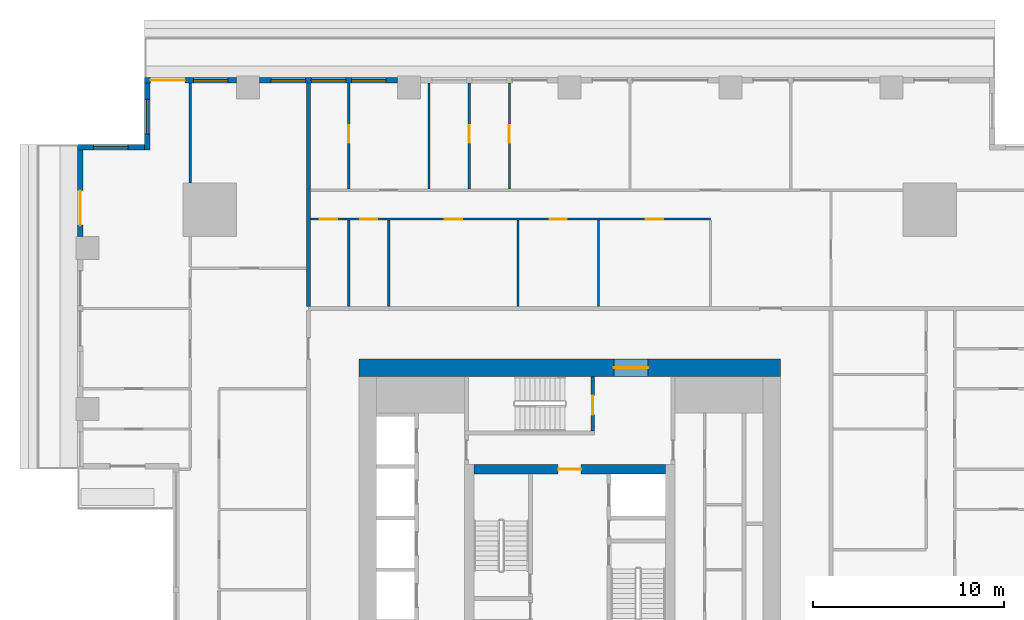
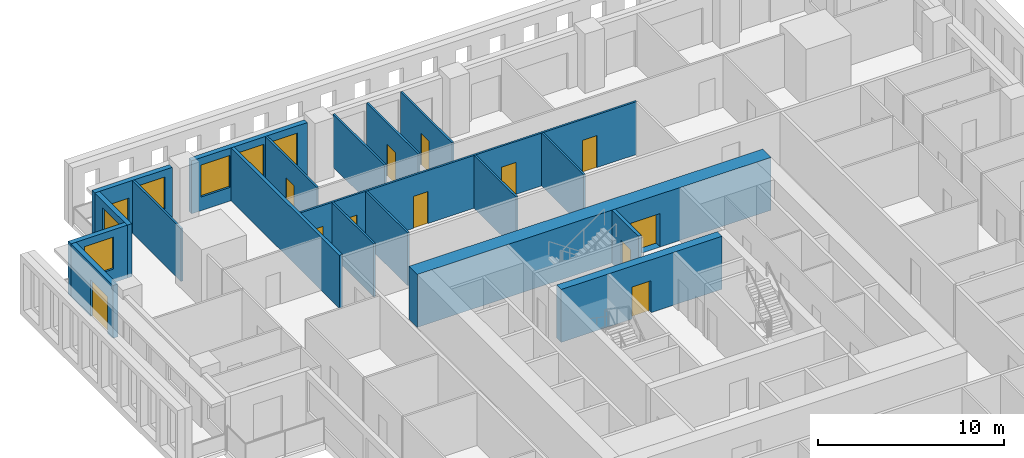
# One storey, part 7 of 14: 19 walls, 13 doors, 6 windows, 19 openings.
"""IFC4 building model written with IfcOpenShell, lengths in metres."""

from ifc_helpers import new_model, si_unit, direction, frame, frame_2d, origin, place, context, subcontext, project, spatial, rectangle, extrude, material, layer, layer_set, type_object, element, fill, save


model = new_model("IFC4")

# Units and contexts
model_context = context("Model", 3, precision=1e-05, world=origin(), true_north=direction((0.0, 1.0)))
body_context = subcontext(model_context, "Body", "Model", "MODEL_VIEW")
ifc_project = project(units=[si_unit("LENGTHUNIT", "METRE"), si_unit("AREAUNIT", "SQUARE_METRE"), si_unit("VOLUMEUNIT", "CUBIC_METRE"), si_unit("PLANEANGLEUNIT", "RADIAN"), si_unit("MASSUNIT", "GRAM", prefix="KILO")], contexts=[model_context])

# Site, building, storey
site_placement = place(None, origin())
site = spatial("IfcSite", under=ifc_project, at=site_placement, CompositionType="ELEMENT")
building_placement = place(site_placement, origin())
building = spatial("IfcBuilding", under=site, at=building_placement, Name="Khepri Terraces", CompositionType="ELEMENT")
storey_placement = place(building_placement, frame((0.0, 0.0, 87.0)))
storey = spatial("IfcBuildingStorey", under=building, at=storey_placement, Name="L20", CompositionType="ELEMENT", Elevation=87.0)

# Wall, opening, door
ifc_material_1 = material(Name="Concrete C70/85", Category="concrete")
ifc_layer_1 = layer(ifc_material_1, 0.199951171875, Name="Concrete C70/85", Category="concrete")
ifc_layer_set_1 = layer_set([ifc_layer_1], Name="Concrete C70/85")
wall_type_1 = type_object("IfcWallType", Name="Core wall 200 C70/85", PredefinedType="SHEAR", material=ifc_layer_set_1)
wall_1_placement = place(storey_placement, frame((1.199951171875, 7.25, 0.0), z_axis=(0.0, 0.0, 1.0), x_axis=(0.0, 1.0, 0.0)))
wall_1 = element("IfcWall", 1, at=wall_1_placement, inside=storey, type_object=wall_type_1, Name="Core wall ST07 L20", PredefinedType="SHEAR", context=body_context, shape_type="SweptSolid", body=[
    extrude(rectangle(XDim=2.85009765625, YDim=0.199951171875, at=frame_2d((1.425048828125, 0.0))), origin(), (0.0, 0.0, 1.0), 3.47998046875),
])
opening_1_placement = place(wall_1_placement, frame((0.85009765625, 0.0, 0.0)))
opening_1 = element("IfcOpeningElement", 2, at=opening_1_placement, cuts=wall_1, Name="Opening L20-C15", PredefinedType="OPENING", context=body_context, shape_type="SweptSolid", body=[
    extrude(rectangle(XDim=1.0, YDim=2.10009765625, at=frame_2d((0.5, 1.050048828125))), frame((0.0, 0.10986328125, 0.0), z_axis=(0.0, -1.0, 0.0), x_axis=(1.0, 0.0, 0.0)), (0.0, 0.0, 1.0), 0.219970703125),
])
ifc_material_2 = material(Name="Painted steel", Category="steel")
door_type_1 = type_object("IfcDoorType", Name="DR-CORE-STAIR-1000", OperationType="NOTDEFINED", PredefinedType="DOOR", material=ifc_material_2)
door_1_placement = place(opening_1_placement, origin())
door_1 = element("IfcDoor", 3, at=door_1_placement, inside=storey, type_object=door_type_1, Name="Stair door L20-C15", OperationType="SINGLE_SWING_LEFT", OverallHeight=2.10009765625, OverallWidth=1.0, PredefinedType="DOOR", context=body_context, shape_type="SweptSolid", body=[
    extrude(rectangle(XDim=1.0, YDim=2.10009765625, at=frame_2d((0.5, 1.050048828125))), frame((0.0, 0.02490234375, 0.0), z_axis=(0.0, -1.0, 0.0), x_axis=(1.0, 0.0, 0.0)), (0.0, 0.0, 1.0), 0.050048828125),
])
fill(opening_1, door_1)

ifc_layer_2 = layer(ifc_material_1, 0.5, Name="Concrete C70/85", Category="concrete")
ifc_layer_set_2 = layer_set([ifc_layer_2], Name="Concrete C70/85")
wall_type_2 = type_object("IfcWallType", Name="Core wall 500 C70/85", PredefinedType="SHEAR", material=ifc_layer_set_2)
wall_2_placement = place(storey_placement, frame((-5.0, 5.25, 0.0), z_axis=(0.0, 0.0, 1.0), x_axis=(1.0, 0.0, 0.0)))
wall_2 = element("IfcWall", 4, at=wall_2_placement, inside=storey, type_object=wall_type_2, Name="Core wall BX04 L20", PredefinedType="SHEAR", context=body_context, shape_type="SweptSolid", body=[
    extrude(rectangle(XDim=10.0, YDim=0.5, at=frame_2d((5.0, 0.0))), origin(), (0.0, 0.0, 1.0), 3.47998046875),
])
opening_2_placement = place(wall_2_placement, frame((4.39990234375, 0.0, 0.0)))
opening_2 = element("IfcOpeningElement", 5, at=opening_2_placement, cuts=wall_2, Name="Opening L20-C13", PredefinedType="OPENING", context=body_context, shape_type="SweptSolid", body=[
    extrude(rectangle(XDim=1.199951171875, YDim=2.10009765625, at=frame_2d((0.60009765625, 1.050048828125))), frame((0.0, 0.260009765625, 0.0), z_axis=(0.0, -1.0, 0.0), x_axis=(1.0, 0.0, 0.0)), (0.0, 0.0, 1.0), 0.52001953125),
])
door_type_2 = type_object("IfcDoorType", Name="DR-CORE-FF-LOBBY-1200", OperationType="NOTDEFINED", PredefinedType="DOOR", material=ifc_material_2)
door_2_placement = place(opening_2_placement, frame((1.199951171875, 0.0, 0.0), z_axis=(0.0, 0.0, 1.0), x_axis=(-1.0, 0.0, 0.0)))
door_2 = element("IfcDoor", 6, at=door_2_placement, inside=storey, type_object=door_type_2, Name="Firefighting lobby door L20-C13", OperationType="SINGLE_SWING_LEFT", OverallHeight=2.10009765625, OverallWidth=1.199951171875, PredefinedType="DOOR", context=body_context, shape_type="SweptSolid", body=[
    extrude(rectangle(XDim=1.199951171875, YDim=2.10009765625, at=frame_2d((0.60009765625, 1.050048828125))), frame((0.0, 0.02490234375, 0.0), z_axis=(0.0, -1.0, 0.0), x_axis=(1.0, 0.0, 0.0)), (0.0, 0.0, 1.0), 0.050048828125),
])
fill(opening_2, door_2)

ifc_layer_3 = layer(ifc_material_1, 0.89990234375, Name="Concrete C70/85", Category="concrete")
ifc_layer_set_3 = layer_set([ifc_layer_3], Name="Concrete C70/85")
wall_type_3 = type_object("IfcWallType", Name="Core wall 900 C70/85", PredefinedType="SHEAR", material=ifc_layer_set_3)
wall_3_placement = place(storey_placement, frame((-11.0, 10.550048828125, 0.0), z_axis=(0.0, 0.0, 1.0), x_axis=(1.0, 0.0, 0.0)))
wall_3 = element("IfcWall", 7, at=wall_3_placement, inside=storey, type_object=wall_type_3, Name="Core wall OW-N L20", PredefinedType="SHEAR", context=body_context, shape_type="SweptSolid", body=[
    extrude(rectangle(XDim=22.0, YDim=0.89990234375, at=frame_2d((11.0, 0.0))), origin(), (0.0, 0.0, 1.0), 3.47998046875),
])
opening_3_placement = place(wall_3_placement, frame((13.300048828125, 0.0, 0.0)))
opening_3 = element("IfcOpeningElement", 8, at=opening_3_placement, cuts=wall_3, Name="Opening L20-C20", PredefinedType="OPENING", context=body_context, shape_type="SweptSolid", body=[
    extrude(rectangle(XDim=1.800048828125, YDim=2.199951171875, at=frame_2d((0.89990234375, 1.10009765625))), frame((0.0, 0.4599609375, 0.0), z_axis=(0.0, -1.0, 0.0), x_axis=(1.0, 0.0, 0.0)), (0.0, 0.0, 1.0), 0.919921875),
])
door_type_3 = type_object("IfcDoorType", Name="DR-CORE-ENTRANCE-1800", OperationType="NOTDEFINED", PredefinedType="DOOR", material=ifc_material_2)
door_3_placement = place(opening_3_placement, origin())
door_3 = element("IfcDoor", 9, at=door_3_placement, inside=storey, type_object=door_type_3, Name="Core entrance door pair L20-C20", OperationType="DOUBLE_DOOR_SINGLE_SWING", OverallHeight=2.199951171875, OverallWidth=1.800048828125, PredefinedType="DOOR", context=body_context, shape_type="SweptSolid", body=[
    extrude(rectangle(XDim=1.800048828125, YDim=2.199951171875, at=frame_2d((0.89990234375, 1.10009765625))), frame((0.0, 0.02490234375, 0.0), z_axis=(0.0, -1.0, 0.0), x_axis=(1.0, 0.0, 0.0)), (0.0, 0.0, 1.0), 0.050048828125),
])
fill(opening_3, door_3)

# Wall
ifc_material_3 = material(Name="Fire-rated gypsum plasterboard partition, mineral wool")
ifc_layer_4 = layer(ifc_material_3, 0.199951171875, Name="Fire-rated gypsum plasterboard partition, mineral wool")
ifc_layer_set_4 = layer_set([ifc_layer_4], Name="Fire-rated gypsum plasterboard partition, mineral wool")
wall_type_4 = type_object("IfcWallType", Name="WL-CORR-200", PredefinedType="PARTITIONING", material=ifc_layer_set_4)
wall_4_placement = place(storey_placement, frame((-13.64990234375, 13.75, 0.0), z_axis=(0.0, 0.0, 1.0), x_axis=(0.0, 1.0, 0.0)))
element("IfcWall", 10, at=wall_4_placement, inside=storey, type_object=wall_type_4, Name="Partition P-076 L20", PredefinedType="PARTITIONING", context=body_context, shape_type="SweptSolid", body=[
    extrude(rectangle(XDim=11.669921875, YDim=0.199951171875, at=frame_2d((5.8349609375, 0.0))), origin(), (0.0, 0.0, 1.0), 3.47998046875),
])

# Wall, openings, windows
ifc_material_4 = material(Name="Precast concrete C50/60 warm stone", Category="masonry")
ifc_layer_5 = layer(ifc_material_4, 0.300048828125, Name="Precast concrete C50/60 warm stone", Category="masonry")
ifc_layer_set_5 = layer_set([ifc_layer_5], Name="Precast concrete C50/60 warm stone")
wall_type_5 = type_object("IfcWallType", Name="WL-EXT-PRECAST-300", PredefinedType="STANDARD", material=ifc_layer_set_5)
wall_5_placement = place(storey_placement, frame((-9.0, 25.570068359375, 0.0), z_axis=(0.0, 0.0, 1.0), x_axis=(-1.0, 0.0, 0.0)))
wall_5 = element("IfcWall", 11, at=wall_5_placement, inside=storey, type_object=wall_type_5, Name="External wall L20 N", PredefinedType="STANDARD", context=body_context, shape_type="SweptSolid", body=[
    extrude(rectangle(XDim=7.199951171875, YDim=0.300048828125, at=frame_2d((3.60009765625, 0.0))), origin(), (0.0, 0.0, 1.0), 3.47998046875),
])
opening_4_placement = place(wall_5_placement, frame((0.60009765625, 0.0, 0.89990234375)))
opening_4 = element("IfcOpeningElement", 12, at=opening_4_placement, cuts=wall_5, Name="Opening W1", PredefinedType="OPENING", context=body_context, shape_type="SweptSolid", body=[
    extrude(rectangle(XDim=1.800048828125, YDim=2.10009765625, at=frame_2d((0.89990234375, 1.050048828125))), frame((0.0, 0.16015625, 0.0), z_axis=(0.0, -1.0, 0.0), x_axis=(1.0, 0.0, 0.0)), (0.0, 0.0, 1.0), 0.320068359375),
])
opening_5_placement = place(wall_5_placement, frame((2.699951171875, 0.0, 0.89990234375)))
opening_5 = element("IfcOpeningElement", 13, at=opening_5_placement, cuts=wall_5, Name="Opening W1", PredefinedType="OPENING", context=body_context, shape_type="SweptSolid", body=[
    extrude(rectangle(XDim=1.800048828125, YDim=2.10009765625, at=frame_2d((0.89990234375, 1.050048828125))), frame((0.0, 0.16015625, 0.0), z_axis=(0.0, -1.0, 0.0), x_axis=(1.0, 0.0, 0.0)), (0.0, 0.0, 1.0), 0.320068359375),
])
opening_6_placement = place(wall_5_placement, frame((4.800048828125, 0.0, 0.89990234375)))
opening_6 = element("IfcOpeningElement", 14, at=opening_6_placement, cuts=wall_5, Name="Opening W1", PredefinedType="OPENING", context=body_context, shape_type="SweptSolid", body=[
    extrude(rectangle(XDim=1.800048828125, YDim=2.10009765625, at=frame_2d((0.89990234375, 1.050048828125))), frame((0.0, 0.16015625, 0.0), z_axis=(0.0, -1.0, 0.0), x_axis=(1.0, 0.0, 0.0)), (0.0, 0.0, 1.0), 0.320068359375),
])
ifc_material_5 = material(Name="Clear glass", Category="glass")
window_type = type_object("IfcWindowType", Name="WIN-RES-1800x2100", PartitioningType="SINGLE_PANEL", PredefinedType="WINDOW", material=ifc_material_5)
window_1_placement = place(opening_4_placement, origin())
window_1 = element("IfcWindow", 15, at=window_1_placement, inside=storey, type_object=window_type, Name="Window L20 N", OverallHeight=2.10009765625, OverallWidth=1.800048828125, PartitioningType="SINGLE_PANEL", PredefinedType="WINDOW", context=body_context, shape_type="SweptSolid", body=[
    extrude(rectangle(XDim=1.800048828125, YDim=2.10009765625, at=frame_2d((0.89990234375, 1.050048828125))), frame((0.0, 0.030029296875, 0.0), z_axis=(0.0, -1.0, 0.0), x_axis=(1.0, 0.0, 0.0)), (0.0, 0.0, 1.0), 0.06005859375),
])
fill(opening_4, window_1)
window_2_placement = place(opening_5_placement, origin())
window_2 = element("IfcWindow", 16, at=window_2_placement, inside=storey, type_object=window_type, Name="Window L20 N", OverallHeight=2.10009765625, OverallWidth=1.800048828125, PartitioningType="SINGLE_PANEL", PredefinedType="WINDOW", context=body_context, shape_type="SweptSolid", body=[
    extrude(rectangle(XDim=1.800048828125, YDim=2.10009765625, at=frame_2d((0.89990234375, 1.050048828125))), frame((0.0, 0.030029296875, 0.0), z_axis=(0.0, -1.0, 0.0), x_axis=(1.0, 0.0, 0.0)), (0.0, 0.0, 1.0), 0.06005859375),
])
fill(opening_5, window_2)
window_3_placement = place(opening_6_placement, origin())
window_3 = element("IfcWindow", 17, at=window_3_placement, inside=storey, type_object=window_type, Name="Window L20 N", OverallHeight=2.10009765625, OverallWidth=1.800048828125, PartitioningType="SINGLE_PANEL", PredefinedType="WINDOW", context=body_context, shape_type="SweptSolid", body=[
    extrude(rectangle(XDim=1.800048828125, YDim=2.10009765625, at=frame_2d((0.89990234375, 1.050048828125))), frame((0.0, 0.030029296875, 0.0), z_axis=(0.0, -1.0, 0.0), x_axis=(1.0, 0.0, 0.0)), (0.0, 0.0, 1.0), 0.06005859375),
])
fill(opening_6, window_3)

# Wall, openings, door, window
wall_6_placement = place(storey_placement, frame((-17.39990234375, 25.570068359375, 0.0), z_axis=(0.0, 0.0, 1.0), x_axis=(-1.0, 0.0, 0.0)))
wall_6 = element("IfcWall", 18, at=wall_6_placement, inside=storey, type_object=wall_type_5, Name="External wall L20 N", PredefinedType="STANDARD", context=body_context, shape_type="SweptSolid", body=[
    extrude(rectangle(XDim=4.820068359375, YDim=0.300048828125, at=frame_2d((2.41015625, 0.0))), origin(), (0.0, 0.0, 1.0), 3.47998046875),
])
opening_7_placement = place(wall_6_placement, frame((2.699951171875, 0.0, 0.0)))
opening_7 = element("IfcOpeningElement", 19, at=opening_7_placement, cuts=wall_6, Name="Opening ED-L20-13", PredefinedType="OPENING", context=body_context, shape_type="SweptSolid", body=[
    extrude(rectangle(XDim=1.800048828125, YDim=2.39990234375, at=frame_2d((0.89990234375, 1.199951171875))), frame((0.0, 0.16015625, 0.0), z_axis=(0.0, -1.0, 0.0), x_axis=(1.0, 0.0, 0.0)), (0.0, 0.0, 1.0), 0.320068359375),
])
opening_8_placement = place(wall_6_placement, frame((0.4599609375, 0.0, 0.89990234375)))
opening_8 = element("IfcOpeningElement", 20, at=opening_8_placement, cuts=wall_6, Name="Opening W1", PredefinedType="OPENING", context=body_context, shape_type="SweptSolid", body=[
    extrude(rectangle(XDim=1.800048828125, YDim=2.10009765625, at=frame_2d((0.89990234375, 1.050048828125))), frame((0.0, 0.16015625, 0.0), z_axis=(0.0, -1.0, 0.0), x_axis=(1.0, 0.0, 0.0)), (0.0, 0.0, 1.0), 0.320068359375),
])
ifc_material_6 = material(Name="Anodised aluminium bronze glazed door", Category="aluminium")
door_type_4 = type_object("IfcDoorType", Name="DR-BAL-SLIDE-1800x2400", OperationType="NOTDEFINED", PredefinedType="DOOR", material=ifc_material_6)
door_4_placement = place(opening_7_placement, origin())
door_4 = element("IfcDoor", 21, at=door_4_placement, inside=storey, type_object=door_type_4, Name="Balcony door L20 N", OperationType="SLIDING_TO_LEFT", OverallHeight=2.39990234375, OverallWidth=1.800048828125, PredefinedType="DOOR", context=body_context, shape_type="SweptSolid", body=[
    extrude(rectangle(XDim=1.800048828125, YDim=2.39990234375, at=frame_2d((0.89990234375, 1.199951171875))), frame((0.0, 0.02490234375, 0.0), z_axis=(0.0, -1.0, 0.0), x_axis=(1.0, 0.0, 0.0)), (0.0, 0.0, 1.0), 0.050048828125),
])
fill(opening_7, door_4)
window_4_placement = place(opening_8_placement, origin())
window_4 = element("IfcWindow", 22, at=window_4_placement, inside=storey, type_object=window_type, Name="Window L20 N", OverallHeight=2.10009765625, OverallWidth=1.800048828125, PartitioningType="SINGLE_PANEL", PredefinedType="WINDOW", context=body_context, shape_type="SweptSolid", body=[
    extrude(rectangle(XDim=1.800048828125, YDim=2.10009765625, at=frame_2d((0.89990234375, 1.050048828125))), frame((0.0, 0.030029296875, 0.0), z_axis=(0.0, -1.0, 0.0), x_axis=(1.0, 0.0, 0.0)), (0.0, 0.0, 1.0), 0.06005859375),
])
fill(opening_8, window_4)

# Wall, opening, window
wall_7_placement = place(storey_placement, frame((-22.070068359375, 25.419921875, 0.0), z_axis=(0.0, 0.0, 1.0), x_axis=(0.0, -1.0, 0.0)))
wall_7 = element("IfcWall", 23, at=wall_7_placement, inside=storey, type_object=wall_type_5, Name="External wall L20 W", PredefinedType="STANDARD", context=body_context, shape_type="SweptSolid", body=[
    extrude(rectangle(XDim=3.5, YDim=0.300048828125, at=frame_2d((1.75, 0.0))), origin(), (0.0, 0.0, 1.0), 3.47998046875),
])
opening_9_placement = place(wall_7_placement, frame((0.85009765625, 0.0, 0.89990234375)))
opening_9 = element("IfcOpeningElement", 24, at=opening_9_placement, cuts=wall_7, Name="Opening W1", PredefinedType="OPENING", context=body_context, shape_type="SweptSolid", body=[
    extrude(rectangle(XDim=1.800048828125, YDim=2.10009765625, at=frame_2d((0.89990234375, 1.050048828125))), frame((0.0, 0.16015625, 0.0), z_axis=(0.0, -1.0, 0.0), x_axis=(1.0, 0.0, 0.0)), (0.0, 0.0, 1.0), 0.320068359375),
])
window_5_placement = place(opening_9_placement, origin())
window_5 = element("IfcWindow", 25, at=window_5_placement, inside=storey, type_object=window_type, Name="Window L20 W", OverallHeight=2.10009765625, OverallWidth=1.800048828125, PartitioningType="SINGLE_PANEL", PredefinedType="WINDOW", context=body_context, shape_type="SweptSolid", body=[
    extrude(rectangle(XDim=1.800048828125, YDim=2.10009765625, at=frame_2d((0.89990234375, 1.050048828125))), frame((0.0, 0.030029296875, 0.0), z_axis=(0.0, -1.0, 0.0), x_axis=(1.0, 0.0, 0.0)), (0.0, 0.0, 1.0), 0.06005859375),
])
fill(opening_9, window_5)

wall_8_placement = place(storey_placement, frame((-22.219970703125, 22.070068359375, 0.0), z_axis=(0.0, 0.0, 1.0), x_axis=(-1.0, 0.0, 0.0)))
wall_8 = element("IfcWall", 26, at=wall_8_placement, inside=storey, type_object=wall_type_5, Name="External wall L20 N", PredefinedType="STANDARD", context=body_context, shape_type="SweptSolid", body=[
    extrude(rectangle(XDim=3.5, YDim=0.300048828125, at=frame_2d((1.75, 0.0))), origin(), (0.0, 0.0, 1.0), 3.47998046875),
])
opening_10_placement = place(wall_8_placement, frame((0.85009765625, 0.0, 0.89990234375)))
opening_10 = element("IfcOpeningElement", 27, at=opening_10_placement, cuts=wall_8, Name="Opening W1", PredefinedType="OPENING", context=body_context, shape_type="SweptSolid", body=[
    extrude(rectangle(XDim=1.800048828125, YDim=2.10009765625, at=frame_2d((0.89990234375, 1.050048828125))), frame((0.0, 0.16015625, 0.0), z_axis=(0.0, -1.0, 0.0), x_axis=(1.0, 0.0, 0.0)), (0.0, 0.0, 1.0), 0.320068359375),
])
window_6_placement = place(opening_10_placement, origin())
window_6 = element("IfcWindow", 28, at=window_6_placement, inside=storey, type_object=window_type, Name="Window L20 N", OverallHeight=2.10009765625, OverallWidth=1.800048828125, PartitioningType="SINGLE_PANEL", PredefinedType="WINDOW", context=body_context, shape_type="SweptSolid", body=[
    extrude(rectangle(XDim=1.800048828125, YDim=2.10009765625, at=frame_2d((0.89990234375, 1.050048828125))), frame((0.0, 0.030029296875, 0.0), z_axis=(0.0, -1.0, 0.0), x_axis=(1.0, 0.0, 0.0)), (0.0, 0.0, 1.0), 0.06005859375),
])
fill(opening_10, window_6)

# Wall, opening, door
wall_9_placement = place(storey_placement, frame((-25.570068359375, 21.919921875, 0.0), z_axis=(0.0, 0.0, 1.0), x_axis=(0.0, -1.0, 0.0)))
wall_9 = element("IfcWall", 29, at=wall_9_placement, inside=storey, type_object=wall_type_5, Name="External wall L20 W", PredefinedType="STANDARD", context=body_context, shape_type="SweptSolid", body=[
    extrude(rectangle(XDim=4.52001953125, YDim=0.300048828125, at=frame_2d((2.260009765625, 0.0))), origin(), (0.0, 0.0, 1.0), 3.47998046875),
])
opening_11_placement = place(wall_9_placement, frame((2.1201171875, 0.0, 0.0)))
opening_11 = element("IfcOpeningElement", 30, at=opening_11_placement, cuts=wall_9, Name="Opening ED-L20-14", PredefinedType="OPENING", context=body_context, shape_type="SweptSolid", body=[
    extrude(rectangle(XDim=1.800048828125, YDim=2.39990234375, at=frame_2d((0.89990234375, 1.199951171875))), frame((0.0, 0.16015625, 0.0), z_axis=(0.0, -1.0, 0.0), x_axis=(1.0, 0.0, 0.0)), (0.0, 0.0, 1.0), 0.320068359375),
])
door_5_placement = place(opening_11_placement, origin())
door_5 = element("IfcDoor", 31, at=door_5_placement, inside=storey, type_object=door_type_4, Name="Balcony door L20 W", OperationType="SLIDING_TO_RIGHT", OverallHeight=2.39990234375, OverallWidth=1.800048828125, PredefinedType="DOOR", context=body_context, shape_type="SweptSolid", body=[
    extrude(rectangle(XDim=1.800048828125, YDim=2.39990234375, at=frame_2d((0.89990234375, 1.199951171875))), frame((0.0, 0.02490234375, 0.0), z_axis=(0.0, -1.0, 0.0), x_axis=(1.0, 0.0, 0.0)), (0.0, 0.0, 1.0), 0.050048828125),
])
fill(opening_11, door_5)

# Walls
ifc_material_7 = material(Name="Gypsum plasterboard partition")
ifc_layer_6 = layer(ifc_material_7, 0.1201171875, Name="Gypsum plasterboard partition")
ifc_layer_set_6 = layer_set([ifc_layer_6], Name="Gypsum plasterboard partition")
wall_type_6 = type_object("IfcWallType", Name="WL-PART-120", PredefinedType="PARTITIONING", material=ifc_layer_set_6)
for number, where, z_axis, x_axis, name in (
    (32, (-11.550048828125, 13.75, 0.0), (0.0, 0.0, 1.0), (0.0, 1.0, 0.0), "Partition P-077 L20"),
    (33, (-9.449951171875, 13.75, 0.0), (0.0, 0.0, 1.0), (0.0, 1.0, 0.0), "Partition P-078 L20"),
    (34, (-2.699951171875, 13.75, 0.0), (0.0, 0.0, 1.0), (0.0, 1.0, 0.0), "Partition P-079 L20"),
    (35, (1.5, 13.75, 0.0), (0.0, 0.0, 1.0), (0.0, 1.0, 0.0), "Partition P-080 L20"),
):
    element("IfcWall", number, at=place(storey_placement, frame(where, z_axis=z_axis, x_axis=x_axis)), inside=storey, type_object=wall_type_6, Name=name, PredefinedType="PARTITIONING", context=body_context, shape_type="SweptSolid", body=[
        extrude(rectangle(XDim=4.510009765625, YDim=0.1201171875, at=frame_2d((2.2548828125, 0.0))), origin(), (0.0, 0.0, 1.0), 3.47998046875),
    ])

# Wall, openings, doors
wall_10_placement = place(storey_placement, frame((-13.550048828125, 18.320068359375, 0.0), z_axis=(0.0, 0.0, 1.0), x_axis=(1.0, 0.0, 0.0)))
wall_10 = element("IfcWall", 36, at=wall_10_placement, inside=storey, type_object=wall_type_6, Name="Partition P-085 L20", PredefinedType="PARTITIONING", context=body_context, shape_type="SweptSolid", body=[
    extrude(rectangle(XDim=20.900146484375, YDim=0.1201171875, at=frame_2d((10.4501953125, 0.0))), origin(), (0.0, 0.0, 1.0), 3.47998046875),
])
opening_12_placement = place(wall_10_placement, frame((17.52490234375, 0.0, 0.0)))
opening_12 = element("IfcOpeningElement", 37, at=opening_12_placement, cuts=wall_10, Name="Opening D3", PredefinedType="OPENING", context=body_context, shape_type="SweptSolid", body=[
    extrude(rectangle(XDim=0.89990234375, YDim=2.10009765625, at=frame_2d((0.449951171875, 1.050048828125))), frame((0.0, 0.070068359375, 0.0), z_axis=(0.0, -1.0, 0.0), x_axis=(1.0, 0.0, 0.0)), (0.0, 0.0, 1.0), 0.14013671875),
])
opening_13_placement = place(wall_10_placement, frame((12.5, 0.0, 0.0)))
opening_13 = element("IfcOpeningElement", 38, at=opening_13_placement, cuts=wall_10, Name="Opening D3", PredefinedType="OPENING", context=body_context, shape_type="SweptSolid", body=[
    extrude(rectangle(XDim=0.89990234375, YDim=2.10009765625, at=frame_2d((0.449951171875, 1.050048828125))), frame((0.0, 0.070068359375, 0.0), z_axis=(0.0, -1.0, 0.0), x_axis=(1.0, 0.0, 0.0)), (0.0, 0.0, 1.0), 0.14013671875),
])
opening_14_placement = place(wall_10_placement, frame((7.02490234375, 0.0, 0.0)))
opening_14 = element("IfcOpeningElement", 39, at=opening_14_placement, cuts=wall_10, Name="Opening D3", PredefinedType="OPENING", context=body_context, shape_type="SweptSolid", body=[
    extrude(rectangle(XDim=0.89990234375, YDim=2.10009765625, at=frame_2d((0.449951171875, 1.050048828125))), frame((0.0, 0.070068359375, 0.0), z_axis=(0.0, -1.0, 0.0), x_axis=(1.0, 0.0, 0.0)), (0.0, 0.0, 1.0), 0.14013671875),
])
opening_15_placement = place(wall_10_placement, frame((2.60009765625, 0.0, 0.0)))
opening_15 = element("IfcOpeningElement", 40, at=opening_15_placement, cuts=wall_10, Name="Opening D4", PredefinedType="OPENING", context=body_context, shape_type="SweptSolid", body=[
    extrude(rectangle(XDim=0.89990234375, YDim=2.10009765625, at=frame_2d((0.449951171875, 1.050048828125))), frame((0.0, 0.070068359375, 0.0), z_axis=(0.0, -1.0, 0.0), x_axis=(1.0, 0.0, 0.0)), (0.0, 0.0, 1.0), 0.14013671875),
])
opening_16_placement = place(wall_10_placement, frame((0.5, 0.0, 0.0)))
opening_16 = element("IfcOpeningElement", 41, at=opening_16_placement, cuts=wall_10, Name="Opening D4", PredefinedType="OPENING", context=body_context, shape_type="SweptSolid", body=[
    extrude(rectangle(XDim=0.89990234375, YDim=2.10009765625, at=frame_2d((0.449951171875, 1.050048828125))), frame((0.0, 0.070068359375, 0.0), z_axis=(0.0, -1.0, 0.0), x_axis=(1.0, 0.0, 0.0)), (0.0, 0.0, 1.0), 0.14013671875),
])
ifc_material_8 = material(Name="Timber door leaf", Category="wood")
door_type_5 = type_object("IfcDoorType", Name="DR-INT-900", OperationType="NOTDEFINED", PredefinedType="DOOR", material=ifc_material_8)
door_6_placement = place(opening_12_placement, frame((0.89990234375, 0.0, 0.0), z_axis=(0.0, 0.0, 1.0), x_axis=(-1.0, 0.0, 0.0)))
door_6 = element("IfcDoor", 42, at=door_6_placement, inside=storey, type_object=door_type_5, Name="Door Kitchen", OperationType="SINGLE_SWING_LEFT", OverallHeight=2.10009765625, OverallWidth=0.89990234375, PredefinedType="DOOR", context=body_context, shape_type="SweptSolid", body=[
    extrude(rectangle(XDim=0.89990234375, YDim=2.10009765625, at=frame_2d((0.449951171875, 1.050048828125))), frame((0.0, 0.02490234375, 0.0), z_axis=(0.0, -1.0, 0.0), x_axis=(1.0, 0.0, 0.0)), (0.0, 0.0, 1.0), 0.050048828125),
])
fill(opening_12, door_6)
door_7_placement = place(opening_13_placement, frame((0.89990234375, 0.0, 0.0), z_axis=(0.0, 0.0, 1.0), x_axis=(-1.0, 0.0, 0.0)))
door_7 = element("IfcDoor", 43, at=door_7_placement, inside=storey, type_object=door_type_5, Name="Door Service Kitchen", OperationType="SINGLE_SWING_LEFT", OverallHeight=2.10009765625, OverallWidth=0.89990234375, PredefinedType="DOOR", context=body_context, shape_type="SweptSolid", body=[
    extrude(rectangle(XDim=0.89990234375, YDim=2.10009765625, at=frame_2d((0.449951171875, 1.050048828125))), frame((0.0, 0.02490234375, 0.0), z_axis=(0.0, -1.0, 0.0), x_axis=(1.0, 0.0, 0.0)), (0.0, 0.0, 1.0), 0.050048828125),
])
fill(opening_13, door_7)
door_8_placement = place(opening_14_placement, frame((0.89990234375, 0.0, 0.0), z_axis=(0.0, 0.0, 1.0), x_axis=(-1.0, 0.0, 0.0)))
door_8 = element("IfcDoor", 44, at=door_8_placement, inside=storey, type_object=door_type_5, Name="Door Staff Bedroom", OperationType="SINGLE_SWING_RIGHT", OverallHeight=2.10009765625, OverallWidth=0.89990234375, PredefinedType="DOOR", context=body_context, shape_type="SweptSolid", body=[
    extrude(rectangle(XDim=0.89990234375, YDim=2.10009765625, at=frame_2d((0.449951171875, 1.050048828125))), frame((0.0, 0.02490234375, 0.0), z_axis=(0.0, -1.0, 0.0), x_axis=(1.0, 0.0, 0.0)), (0.0, 0.0, 1.0), 0.050048828125),
])
fill(opening_14, door_8)
ifc_material_9 = material(Name="Timber door leaf, moisture resistant", Category="wood")
door_type_6 = type_object("IfcDoorType", Name="DR-WET-900", OperationType="NOTDEFINED", PredefinedType="DOOR", material=ifc_material_9)
door_9_placement = place(opening_15_placement, frame((0.89990234375, 0.0, 0.0), z_axis=(0.0, 0.0, 1.0), x_axis=(-1.0, 0.0, 0.0)))
door_9 = element("IfcDoor", 45, at=door_9_placement, inside=storey, type_object=door_type_6, Name="Door Powder Room", OperationType="SINGLE_SWING_RIGHT", OverallHeight=2.10009765625, OverallWidth=0.89990234375, PredefinedType="DOOR", context=body_context, shape_type="SweptSolid", body=[
    extrude(rectangle(XDim=0.89990234375, YDim=2.10009765625, at=frame_2d((0.449951171875, 1.050048828125))), frame((0.0, 0.02490234375, 0.0), z_axis=(0.0, -1.0, 0.0), x_axis=(1.0, 0.0, 0.0)), (0.0, 0.0, 1.0), 0.050048828125),
])
fill(opening_15, door_9)
door_10_placement = place(opening_16_placement, frame((0.89990234375, 0.0, 0.0), z_axis=(0.0, 0.0, 1.0), x_axis=(-1.0, 0.0, 0.0)))
door_10 = element("IfcDoor", 46, at=door_10_placement, inside=storey, type_object=door_type_6, Name="Door Guest Bathroom", OperationType="SINGLE_SWING_RIGHT", OverallHeight=2.10009765625, OverallWidth=0.89990234375, PredefinedType="DOOR", context=body_context, shape_type="SweptSolid", body=[
    extrude(rectangle(XDim=0.89990234375, YDim=2.10009765625, at=frame_2d((0.449951171875, 1.050048828125))), frame((0.0, 0.02490234375, 0.0), z_axis=(0.0, -1.0, 0.0), x_axis=(1.0, 0.0, 0.0)), (0.0, 0.0, 1.0), 0.050048828125),
])
fill(opening_16, door_10)

# Wall, opening, door
wall_11_placement = place(storey_placement, frame((-11.550048828125, 19.8798828125, 0.0), z_axis=(0.0, 0.0, 1.0), x_axis=(0.0, 1.0, 0.0)))
wall_11 = element("IfcWall", 47, at=wall_11_placement, inside=storey, type_object=wall_type_6, Name="Partition P-088 L20", PredefinedType="PARTITIONING", context=body_context, shape_type="SweptSolid", body=[
    extrude(rectangle(XDim=5.5400390625, YDim=0.1201171875, at=frame_2d((2.77001953125, 0.0))), origin(), (0.0, 0.0, 1.0), 3.47998046875),
])
opening_17_placement = place(wall_11_placement, frame((2.43994140625, 0.0, 0.0)))
opening_17 = element("IfcOpeningElement", 48, at=opening_17_placement, cuts=wall_11, Name="Opening D4", PredefinedType="OPENING", context=body_context, shape_type="SweptSolid", body=[
    extrude(rectangle(XDim=0.89990234375, YDim=2.10009765625, at=frame_2d((0.449951171875, 1.050048828125))), frame((0.0, 0.070068359375, 0.0), z_axis=(0.0, -1.0, 0.0), x_axis=(1.0, 0.0, 0.0)), (0.0, 0.0, 1.0), 0.14013671875),
])
door_11_placement = place(opening_17_placement, origin())
door_11 = element("IfcDoor", 49, at=door_11_placement, inside=storey, type_object=door_type_6, Name="Door Bathroom", OperationType="SINGLE_SWING_RIGHT", OverallHeight=2.10009765625, OverallWidth=0.89990234375, PredefinedType="DOOR", context=body_context, shape_type="SweptSolid", body=[
    extrude(rectangle(XDim=0.89990234375, YDim=2.10009765625, at=frame_2d((0.449951171875, 1.050048828125))), frame((0.0, 0.02490234375, 0.0), z_axis=(0.0, -1.0, 0.0), x_axis=(1.0, 0.0, 0.0)), (0.0, 0.0, 1.0), 0.050048828125),
])
fill(opening_17, door_11)

# Wall
wall_12_placement = place(storey_placement, frame((-7.35009765625, 19.8798828125, 0.0), z_axis=(0.0, 0.0, 1.0), x_axis=(0.0, 1.0, 0.0)))
element("IfcWall", 50, at=wall_12_placement, inside=storey, type_object=wall_type_6, Name="Partition P-089 L20", PredefinedType="PARTITIONING", context=body_context, shape_type="SweptSolid", body=[
    extrude(rectangle(XDim=5.5400390625, YDim=0.1201171875, at=frame_2d((2.77001953125, 0.0))), origin(), (0.0, 0.0, 1.0), 3.47998046875),
])

# Wall, opening, door
wall_13_placement = place(storey_placement, frame((-5.25, 19.8798828125, 0.0), z_axis=(0.0, 0.0, 1.0), x_axis=(0.0, 1.0, 0.0)))
wall_13 = element("IfcWall", 51, at=wall_13_placement, inside=storey, type_object=wall_type_6, Name="Partition P-090 L20", PredefinedType="PARTITIONING", context=body_context, shape_type="SweptSolid", body=[
    extrude(rectangle(XDim=5.5400390625, YDim=0.1201171875, at=frame_2d((2.77001953125, 0.0))), origin(), (0.0, 0.0, 1.0), 3.47998046875),
])
opening_18_placement = place(wall_13_placement, frame((2.43994140625, 0.0, 0.0)))
opening_18 = element("IfcOpeningElement", 52, at=opening_18_placement, cuts=wall_13, Name="Opening D4", PredefinedType="OPENING", context=body_context, shape_type="SweptSolid", body=[
    extrude(rectangle(XDim=0.89990234375, YDim=2.10009765625, at=frame_2d((0.449951171875, 1.050048828125))), frame((0.0, 0.070068359375, 0.0), z_axis=(0.0, -1.0, 0.0), x_axis=(1.0, 0.0, 0.0)), (0.0, 0.0, 1.0), 0.14013671875),
])
door_12_placement = place(opening_18_placement, origin())
door_12 = element("IfcDoor", 53, at=door_12_placement, inside=storey, type_object=door_type_6, Name="Door Bathroom", OperationType="SINGLE_SWING_RIGHT", OverallHeight=2.10009765625, OverallWidth=0.89990234375, PredefinedType="DOOR", context=body_context, shape_type="SweptSolid", body=[
    extrude(rectangle(XDim=0.89990234375, YDim=2.10009765625, at=frame_2d((0.449951171875, 1.050048828125))), frame((0.0, 0.02490234375, 0.0), z_axis=(0.0, -1.0, 0.0), x_axis=(1.0, 0.0, 0.0)), (0.0, 0.0, 1.0), 0.050048828125),
])
fill(opening_18, door_12)

wall_14_placement = place(storey_placement, frame((-3.14990234375, 19.8798828125, 0.0), z_axis=(0.0, 0.0, 1.0), x_axis=(0.0, 1.0, 0.0)))
wall_14 = element("IfcWall", 54, at=wall_14_placement, inside=storey, type_object=wall_type_6, Name="Partition P-091 L20", PredefinedType="PARTITIONING", context=body_context, shape_type="SweptSolid", body=[
    extrude(rectangle(XDim=5.5400390625, YDim=0.1201171875, at=frame_2d((2.77001953125, 0.0))), origin(), (0.0, 0.0, 1.0), 3.47998046875),
])
opening_19_placement = place(wall_14_placement, frame((2.43994140625, 0.0, 0.0)))
opening_19 = element("IfcOpeningElement", 55, at=opening_19_placement, cuts=wall_14, Name="Opening D3", PredefinedType="OPENING", context=body_context, shape_type="SweptSolid", body=[
    extrude(rectangle(XDim=0.89990234375, YDim=2.10009765625, at=frame_2d((0.449951171875, 1.050048828125))), frame((0.0, 0.070068359375, 0.0), z_axis=(0.0, -1.0, 0.0), x_axis=(1.0, 0.0, 0.0)), (0.0, 0.0, 1.0), 0.14013671875),
])
door_13_placement = place(opening_19_placement, origin())
door_13 = element("IfcDoor", 56, at=door_13_placement, inside=storey, type_object=door_type_5, Name="Door Dressing Room", OperationType="SINGLE_SWING_RIGHT", OverallHeight=2.10009765625, OverallWidth=0.89990234375, PredefinedType="DOOR", context=body_context, shape_type="SweptSolid", body=[
    extrude(rectangle(XDim=0.89990234375, YDim=2.10009765625, at=frame_2d((0.449951171875, 1.050048828125))), frame((0.0, 0.02490234375, 0.0), z_axis=(0.0, -1.0, 0.0), x_axis=(1.0, 0.0, 0.0)), (0.0, 0.0, 1.0), 0.050048828125),
])
fill(opening_19, door_13)

# Wall
wall_15_placement = place(storey_placement, frame((-19.820068359375, 20.199951171875, 0.0), z_axis=(0.0, 0.0, 1.0), x_axis=(0.0, 1.0, 0.0)))
element("IfcWall", 57, at=wall_15_placement, inside=storey, type_object=wall_type_6, Name="Partition P-094 L20", PredefinedType="PARTITIONING", context=body_context, shape_type="SweptSolid", body=[
    extrude(rectangle(XDim=5.219970703125, YDim=0.1201171875, at=frame_2d((2.60986328125, 0.0))), origin(), (0.0, 0.0, 1.0), 3.47998046875),
])

save(model, "model.ifc")
